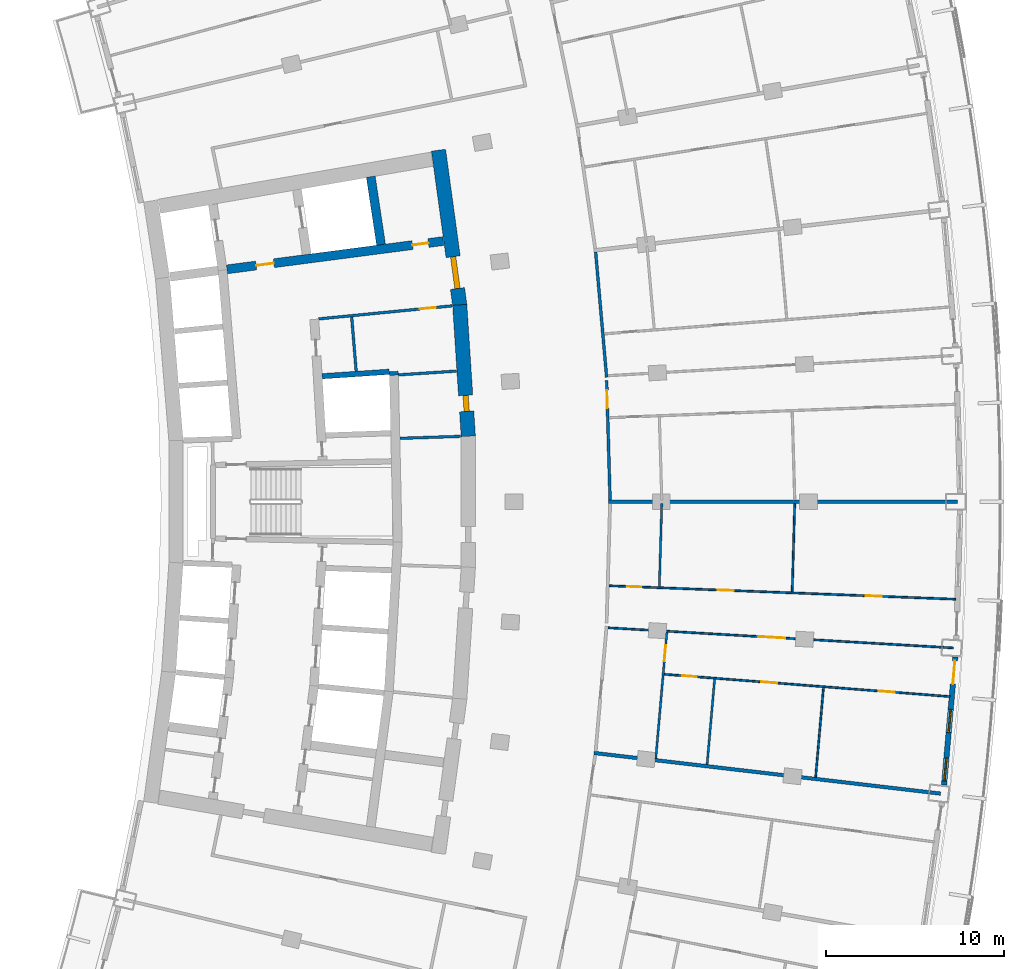
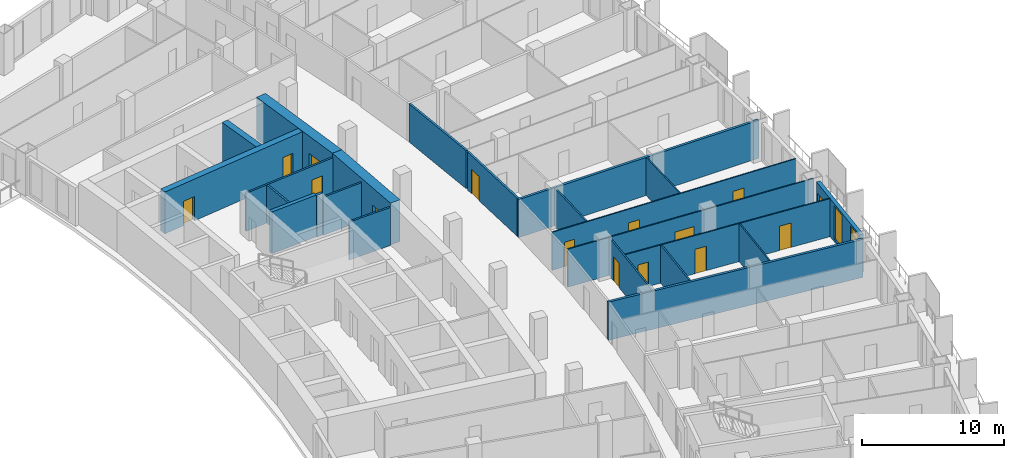
# One storey, part 17 of 25: 23 walls, 15 doors, 2 windows, 17 openings.
"""IFC4 building model written with IfcOpenShell, lengths in metres."""

from ifc_helpers import new_model, si_unit, direction, frame, frame_2d, origin, place, context, subcontext, project, spatial, rectangle, extrude, material, layer, layer_set, type_object, element, fill, save


model = new_model("IFC4")

# Units and contexts
model_context = context("Model", 3, precision=1e-05, world=origin(), true_north=direction((0.0, 1.0)))
body_context = subcontext(model_context, "Body", "Model", "MODEL_VIEW")
ifc_project = project(units=[si_unit("LENGTHUNIT", "METRE"), si_unit("AREAUNIT", "SQUARE_METRE"), si_unit("VOLUMEUNIT", "CUBIC_METRE"), si_unit("PLANEANGLEUNIT", "RADIAN"), si_unit("MASSUNIT", "GRAM", prefix="KILO")], contexts=[model_context])

# Site, building, storey
site_placement = place(None, origin())
site = spatial("IfcSite", under=ifc_project, at=site_placement, CompositionType="ELEMENT")
building_placement = place(site_placement, origin())
building = spatial("IfcBuilding", under=site, at=building_placement, Name="Alderwake Tower", CompositionType="ELEMENT")
storey_placement = place(building_placement, frame((0.0, 0.0, 118.39990234375)))
storey = spatial("IfcBuildingStorey", under=building, at=storey_placement, Name="L29", CompositionType="ELEMENT", Elevation=118.39990234375)

# Walls
ifc_material_1 = material(Name="Gypsum shaft wall system, rated")
ifc_layer_1 = layer(ifc_material_1, 0.14990234375)
ifc_layer_set_1 = layer_set([ifc_layer_1], Name="Core room partition 150")
wall_type_1 = type_object("IfcWallType", Name="Core room partition 150", PredefinedType="PARTITIONING", material=ifc_layer_set_1)
wall_1_placement = place(storey_placement, frame((26.94970703125, 68.3203125, 0.0), z_axis=(0.0, 0.0, 1.0), x_axis=(-0.082463525817, 0.996594083321, 0.0)))
element("IfcWall", 1, at=wall_1_placement, inside=storey, type_object=wall_type_1, Name="CW/L29/PA+107_+70", PredefinedType="PARTITIONING", context=body_context, shape_type="SweptSolid", body=[
    extrude(rectangle(XDim=3.055419921875, YDim=0.14990234375, at=frame_2d((1.52783203125, 0.0))), origin(), (0.0, 0.0, 1.0), 3.280029296875),
])
wall_2_placement = place(storey_placement, frame((29.3974609375, 64.55810546875, 0.0), z_axis=(0.0, 0.0, 1.0), x_axis=(0.999470631901, 0.032533920269, 0.0)))
element("IfcWall", 2, at=wall_2_placement, inside=storey, type_object=wall_type_1, Name="CW/L29/PR+34_+128", PredefinedType="PARTITIONING", context=body_context, shape_type="SweptSolid", body=[
    extrude(rectangle(XDim=3.414306640625, YDim=0.14990234375, at=frame_2d((1.70703125, 0.0))), origin(), (0.0, 0.0, 1.0), 3.280029296875),
])
wall_3_placement = place(storey_placement, frame((29.318603515625, 68.11865234375, 0.0), z_axis=(0.0, 0.0, 1.0), x_axis=(0.997885072108, 0.065002945035, 0.0)))
element("IfcWall", 3, at=wall_3_placement, inside=storey, type_object=wall_type_1, Name="CW/L29/PR+68_+128", PredefinedType="PARTITIONING", context=body_context, shape_type="SweptSolid", body=[
    extrude(rectangle(XDim=3.260009765625, YDim=0.14990234375, at=frame_2d((1.6298828125, 0.0))), origin(), (0.0, 0.0, 1.0), 3.280029296875),
])

# Wall, opening, door
wall_4_placement = place(storey_placement, frame((32.333251953125, 71.991943359375, 0.0), z_axis=(0.0, 0.0, 1.0), x_axis=(-0.995248348328, -0.097369015353, 0.0)))
wall_4 = element("IfcWall", 4, at=wall_4_placement, inside=storey, type_object=wall_type_1, Name="CW/L29/PR+102_+86", PredefinedType="PARTITIONING", context=body_context, shape_type="SweptSolid", body=[
    extrude(rectangle(XDim=7.51953125, YDim=0.14990234375, at=frame_2d((3.759765625, 0.0))), origin(), (0.0, 0.0, 1.0), 3.280029296875),
])
opening_1_placement = place(wall_4_placement, frame((0.919921875, 0.0, 0.0)))
opening_1 = element("IfcOpeningElement", 5, at=opening_1_placement, cuts=wall_4, Name="Opening C021", PredefinedType="OPENING", context=body_context, shape_type="SweptSolid", body=[
    extrude(rectangle(XDim=0.89990234375, YDim=2.10009765625, at=frame_2d((0.449951171875, 1.050048828125))), frame((0.0, 0.0849609375, 0.0), z_axis=(0.0, -1.0, 0.0), x_axis=(1.0, 0.0, 0.0)), (0.0, 0.0, 1.0), 0.169921875),
])
ifc_material_2 = material(Name="Painted steel leaf", Category="steel")
door_type_1 = type_object("IfcDoorType", Name="Core room door 900", OperationType="SINGLE_SWING_LEFT", PredefinedType="DOOR", material=ifc_material_2)
door_1_placement = place(opening_1_placement, origin())
door_1 = element("IfcDoor", 6, at=door_1_placement, inside=storey, type_object=door_type_1, Name="Room door", OperationType="SINGLE_SWING_RIGHT", OverallHeight=2.10009765625, OverallWidth=0.89990234375, PredefinedType="DOOR", context=body_context, shape_type="SweptSolid", body=[
    extrude(rectangle(XDim=0.89990234375, YDim=2.10009765625, at=frame_2d((0.449951171875, 1.050048828125))), frame((0.0, 0.02490234375, 0.0), z_axis=(0.0, -1.0, 0.0), x_axis=(1.0, 0.0, 0.0)), (0.0, 0.0, 1.0), 0.050048828125),
])
fill(opening_1, door_1)

ifc_material_3 = material(Name="Concrete C70/85", Category="concrete")
ifc_layer_2 = layer(ifc_material_3, 0.800048828125)
ifc_layer_set_2 = layer_set([ifc_layer_2], Name="Core wall outer 800 C70-85")
wall_type_2 = type_object("IfcWallType", Name="Core wall outer 800 C70-85", PredefinedType="SHEAR", material=ifc_layer_set_2)
wall_5_placement = place(storey_placement, frame((32.760498046875, 72.048583984375, 0.0), z_axis=(0.0, 0.0, 1.0), x_axis=(0.064976219143, -0.997886812693, 0.0)))
wall_5 = element("IfcWall", 7, at=wall_5_placement, inside=storey, type_object=wall_type_2, Name="Core wall CW.010", PredefinedType="SHEAR", context=body_context, shape_type="SweptSolid", body=[
    extrude(rectangle(XDim=7.39453125, YDim=0.800048828125, at=frame_2d((3.697265625, 0.0))), origin(), (0.0, 0.0, 1.0), 3.60009765625),
])
opening_2_placement = place(wall_5_placement, frame((5.08984375, 0.0, 0.0)))
opening_2 = element("IfcOpeningElement", 8, at=opening_2_placement, cuts=wall_5, Name="Opening C035", PredefinedType="OPENING", context=body_context, shape_type="SweptSolid", body=[
    extrude(rectangle(XDim=0.89990234375, YDim=2.10009765625, at=frame_2d((0.449951171875, 1.050048828125))), frame((0.0, 0.409912109375, 0.0), z_axis=(0.0, -1.0, 0.0), x_axis=(1.0, 0.0, 0.0)), (0.0, 0.0, 1.0), 0.820068359375),
])
door_2_placement = place(opening_2_placement, origin())
door_2 = element("IfcDoor", 9, at=door_2_placement, inside=storey, type_object=door_type_1, Name="Room door", OperationType="SINGLE_SWING_RIGHT", OverallHeight=2.10009765625, OverallWidth=0.89990234375, PredefinedType="DOOR", context=body_context, shape_type="SweptSolid", body=[
    extrude(rectangle(XDim=0.89990234375, YDim=2.10009765625, at=frame_2d((0.449951171875, 1.050048828125))), frame((0.0, 0.14990234375, 0.0), z_axis=(0.0, -1.0, 0.0), x_axis=(1.0, 0.0, 0.0)), (0.0, 0.0, 1.0), 0.300048828125),
])
fill(opening_2, door_2)

wall_6_placement = place(storey_placement, frame((31.569580078125, 80.7265625, 0.0), z_axis=(0.0, 0.0, 1.0), x_axis=(0.135838347444, -0.990731014637, 0.0)))
wall_6 = element("IfcWall", 10, at=wall_6_placement, inside=storey, type_object=wall_type_2, Name="Core wall CW.009", PredefinedType="SHEAR", context=body_context, shape_type="SweptSolid", body=[
    extrude(rectangle(XDim=8.788818359375, YDim=0.800048828125, at=frame_2d((4.39453125, 0.0))), origin(), (0.0, 0.0, 1.0), 3.60009765625),
])
opening_3_placement = place(wall_6_placement, frame((6.032958984375, 0.0, 0.0)))
opening_3 = element("IfcOpeningElement", 11, at=opening_3_placement, cuts=wall_6, Name="Opening C001", PredefinedType="OPENING", context=body_context, shape_type="SweptSolid", body=[
    extrude(rectangle(XDim=1.800048828125, YDim=2.10009765625, at=frame_2d((0.89990234375, 1.050048828125))), frame((0.0, 0.409912109375, 0.0), z_axis=(0.0, -1.0, 0.0), x_axis=(1.0, 0.0, 0.0)), (0.0, 0.0, 1.0), 0.820068359375),
])
ifc_material_4 = material(Name="Steel-framed fire door leaves", Category="steel")
door_type_2 = type_object("IfcDoorType", Name="Core double door 1800 fire-rated", OperationType="DOUBLE_DOOR_SINGLE_SWING", PredefinedType="DOOR", material=ifc_material_4)
door_3_placement = place(opening_3_placement, origin())
door_3 = element("IfcDoor", 12, at=door_3_placement, inside=storey, type_object=door_type_2, Name="Lobby double door", OperationType="DOUBLE_DOOR_SINGLE_SWING", OverallHeight=2.10009765625, OverallWidth=1.800048828125, PredefinedType="DOOR", context=body_context, shape_type="SweptSolid", body=[
    extrude(rectangle(XDim=1.800048828125, YDim=2.10009765625, at=frame_2d((0.89990234375, 1.050048828125))), frame((0.0, 0.14990234375, 0.0), z_axis=(0.0, -1.0, 0.0), x_axis=(1.0, 0.0, 0.0)), (0.0, 0.0, 1.0), 0.300048828125),
])
fill(opening_3, door_3)

# Walls
ifc_material_5 = material(Name="Concrete C70/85", Category="concrete")
ifc_layer_3 = layer(ifc_material_5, 0.300048828125)
ifc_layer_set_3 = layer_set([ifc_layer_3], Name="Core wall shaft 300 C70-85")
wall_type_3 = type_object("IfcWallType", Name="Core wall shaft 300 C70-85", PredefinedType="SHEAR", material=ifc_layer_set_3)
wall_7_placement = place(storey_placement, frame((25.042236328125, 68.0419921875, 0.0), z_axis=(0.0, 0.0, 1.0), x_axis=(0.997762475899, 0.066858370369, 0.0)))
element("IfcWall", 13, at=wall_7_placement, inside=storey, type_object=wall_type_3, Name="Core wall CW.063", PredefinedType="SHEAR", context=body_context, shape_type="SweptSolid", body=[
    extrude(rectangle(XDim=3.772216796875, YDim=0.300048828125, at=frame_2d((1.88623046875, 0.0))), origin(), (0.0, 0.0, 1.0), 3.60009765625),
])
ifc_material_6 = material(Name="Concrete C70/85", Category="concrete")
ifc_layer_4 = layer(ifc_material_6, 0.5)
ifc_layer_set_4 = layer_set([ifc_layer_4], Name="Core wall spine 500 C70-85")
wall_type_4 = type_object("IfcWallType", Name="Core wall spine 500 C70-85", PredefinedType="SHEAR", material=ifc_layer_set_4)
wall_8_placement = place(storey_placement, frame((29.0693359375, 68.096435546875, 0.0), z_axis=(0.0, 0.0, 1.0), x_axis=(-0.065840896216, 0.997830134034, 0.0)))
element("IfcWall", 14, at=wall_8_placement, inside=storey, type_object=wall_type_4, Name="Core wall CW.003", PredefinedType="SHEAR", context=body_context, shape_type="SweptSolid", body=[
    extrude(rectangle(XDim=0.215087890625, YDim=0.5, at=frame_2d((0.107421875, 0.0))), origin(), (0.0, 0.0, 1.0), 3.60009765625),
])
wall_9_placement = place(storey_placement, frame((28.34423828125, 75.4228515625, 0.0), z_axis=(0.0, 0.0, 1.0), x_axis=(-0.14943460482, 0.988771611082, 0.0)))
element("IfcWall", 15, at=wall_9_placement, inside=storey, type_object=wall_type_4, Name="Core wall CW.001", PredefinedType="SHEAR", context=body_context, shape_type="SweptSolid", body=[
    extrude(rectangle(XDim=3.8623046875, YDim=0.5, at=frame_2d((1.93115234375, 0.0))), origin(), (0.0, 0.0, 1.0), 3.60009765625),
])

# Wall, openings, doors
wall_10_placement = place(storey_placement, frame((31.834716796875, 75.627197265625, 0.0), z_axis=(0.0, 0.0, 1.0), x_axis=(-0.991555516999, -0.129682908318, 0.0)))
wall_10 = element("IfcWall", 16, at=wall_10_placement, inside=storey, type_object=wall_type_4, Name="Core wall CW.052", PredefinedType="SHEAR", context=body_context, shape_type="SweptSolid", body=[
    extrude(rectangle(XDim=12.23681640625, YDim=0.5, at=frame_2d((6.118408203125, 0.0))), origin(), (0.0, 0.0, 1.0), 3.60009765625),
])
opening_4_placement = place(wall_10_placement, frame((9.587158203125, 0.0, 0.0)))
opening_4 = element("IfcOpeningElement", 17, at=opening_4_placement, cuts=wall_10, Name="Opening C002", PredefinedType="OPENING", context=body_context, shape_type="SweptSolid", body=[
    extrude(rectangle(XDim=1.0, YDim=2.10009765625, at=frame_2d((0.5, 1.050048828125))), frame((0.0, 0.260009765625, 0.0), z_axis=(0.0, -1.0, 0.0), x_axis=(1.0, 0.0, 0.0)), (0.0, 0.0, 1.0), 0.52001953125),
])
opening_5_placement = place(wall_10_placement, frame((0.837158203125, 0.0, 0.0)))
opening_5 = element("IfcOpeningElement", 18, at=opening_5_placement, cuts=wall_10, Name="Opening C020", PredefinedType="OPENING", context=body_context, shape_type="SweptSolid", body=[
    extrude(rectangle(XDim=0.89990234375, YDim=2.10009765625, at=frame_2d((0.449951171875, 1.050048828125))), frame((0.0, 0.260009765625, 0.0), z_axis=(0.0, -1.0, 0.0), x_axis=(1.0, 0.0, 0.0)), (0.0, 0.0, 1.0), 0.52001953125),
])
door_4_placement = place(opening_5_placement, origin())
door_4 = element("IfcDoor", 19, at=door_4_placement, inside=storey, type_object=door_type_1, Name="Room door", OperationType="SINGLE_SWING_LEFT", OverallHeight=2.10009765625, OverallWidth=0.89990234375, PredefinedType="DOOR", context=body_context, shape_type="SweptSolid", body=[
    extrude(rectangle(XDim=0.89990234375, YDim=2.10009765625, at=frame_2d((0.449951171875, 1.050048828125))), frame((0.0, 0.02490234375, 0.0), z_axis=(0.0, -1.0, 0.0), x_axis=(1.0, 0.0, 0.0)), (0.0, 0.0, 1.0), 0.050048828125),
])
fill(opening_5, door_4)
ifc_material_7 = material(Name="Steel-framed fire door leaf", Category="steel")
door_type_3 = type_object("IfcDoorType", Name="Firefighting lobby door 1000 fire-rated", OperationType="SINGLE_SWING_LEFT", PredefinedType="DOOR", material=ifc_material_7)
door_5_placement = place(opening_4_placement, origin())
door_5 = element("IfcDoor", 20, at=door_5_placement, inside=storey, type_object=door_type_3, Name="Firefighting lobby door", OperationType="SINGLE_SWING_RIGHT", OverallHeight=2.10009765625, OverallWidth=1.0, PredefinedType="DOOR", context=body_context, shape_type="SweptSolid", body=[
    extrude(rectangle(XDim=1.0, YDim=2.10009765625, at=frame_2d((0.5, 1.050048828125))), frame((0.0, 0.02490234375, 0.0), z_axis=(0.0, -1.0, 0.0), x_axis=(1.0, 0.0, 0.0)), (0.0, 0.0, 1.0), 0.050048828125),
])
fill(opening_4, door_5)

# Wall
ifc_material_8 = material(Name="Gypsum board on metal studs, rated")
ifc_layer_5 = layer(ifc_material_8, 0.159912109375)
ifc_layer_set_5 = layer_set([ifc_layer_5], Name="Corridor wall 160")
wall_type_5 = type_object("IfcWallType", Name="Corridor wall 160", PredefinedType="PARTITIONING", material=ifc_layer_set_5)
wall_11_placement = place(storey_placement, frame((41.001953125, 67.9873046875, 0.0), z_axis=(0.0, 0.0, 1.0), x_axis=(-0.087430787456, 0.996170596537, 0.0)))
element("IfcWall", 21, at=wall_11_placement, inside=storey, type_object=wall_type_5, Name="WL/L29/W40", PredefinedType="PARTITIONING", context=body_context, shape_type="SweptSolid", body=[
    extrude(rectangle(XDim=7.048095703125, YDim=0.159912109375, at=frame_2d((3.52392578125, 0.0))), origin(), (0.0, 0.0, 1.0), 3.280029296875),
])

# Wall, opening, door
wall_12_placement = place(storey_placement, frame((41.002685546875, 67.80029296875, 0.0), z_axis=(0.0, 0.0, 1.0), x_axis=(0.0288425569, -0.999583966914, 0.0)))
wall_12 = element("IfcWall", 22, at=wall_12_placement, inside=storey, type_object=wall_type_5, Name="WL/L29/W41", PredefinedType="PARTITIONING", context=body_context, shape_type="SweptSolid", body=[
    extrude(rectangle(XDim=6.703857421875, YDim=0.159912109375, at=frame_2d((3.35205078125, 0.0))), origin(), (0.0, 0.0, 1.0), 3.280029296875),
])
opening_6_placement = place(wall_12_placement, frame((0.54541015625, 0.0, 0.0)))
opening_6 = element("IfcOpeningElement", 23, at=opening_6_placement, cuts=wall_12, Name="Opening R08-U08.2", PredefinedType="OPENING", context=body_context, shape_type="SweptSolid", body=[
    extrude(rectangle(XDim=1.0, YDim=2.10009765625, at=frame_2d((0.5, 1.050048828125))), frame((0.0, 0.08984375, 0.0), z_axis=(0.0, -1.0, 0.0), x_axis=(1.0, 0.0, 0.0)), (0.0, 0.0, 1.0), 0.179931640625),
])
ifc_material_9 = material(Name="Solid timber leaf in steel frame", Category="steel")
door_type_4 = type_object("IfcDoorType", Name="Flat entrance door 1000 fire-rated", OperationType="SINGLE_SWING_LEFT", PredefinedType="DOOR", material=ifc_material_9)
door_6_placement = place(opening_6_placement, origin())
door_6 = element("IfcDoor", 24, at=door_6_placement, inside=storey, type_object=door_type_4, Name="DR/L29/U08.2", OperationType="SINGLE_SWING_LEFT", OverallHeight=2.10009765625, OverallWidth=1.0, PredefinedType="DOOR", context=body_context, shape_type="SweptSolid", body=[
    extrude(rectangle(XDim=1.0, YDim=2.10009765625, at=frame_2d((0.5, 1.050048828125))), frame((0.0, 0.02490234375, 0.0), z_axis=(0.0, -1.0, 0.0), x_axis=(1.0, 0.0, 0.0)), (0.0, 0.0, 1.0), 0.050048828125),
])
fill(opening_6, door_6)

# Wall, openings, door, windows
ifc_material_10 = material(Name="Precast concrete C50/60 spandrel panel", Category="concrete")
ifc_layer_6 = layer(ifc_material_10, 0.300048828125)
ifc_layer_set_6 = layer_set([ifc_layer_6], Name="External wall EW1 Precast concrete C50/60 spandrel")
wall_type_6 = type_object("IfcWallType", Name="External wall EW1 Precast concrete C50/60 spandrel", PredefinedType="SOLIDWALL", material=ifc_layer_set_6)
wall_13_placement = place(storey_placement, frame((59.93603515625, 45.101806640625, 0.0), z_axis=(0.0, 0.0, 1.0), x_axis=(0.087409071473, 0.996172502243, 0.0)))
wall_13 = element("IfcWall", 25, at=wall_13_placement, inside=storey, type_object=wall_type_6, Name="External wall 15", PredefinedType="SOLIDWALL", context=body_context, shape_type="SweptSolid", body=[
    extrude(rectangle(XDim=7.21728515625, YDim=0.300048828125, at=frame_2d((3.608642578125, 0.0))), origin(), (0.0, 0.0, 1.0), 3.280029296875),
])
opening_7_placement = place(wall_13_placement, frame((0.22509765625, 0.0, 0.199951171875)))
opening_7 = element("IfcOpeningElement", 26, at=opening_7_placement, cuts=wall_13, Name="Opening W1", PredefinedType="OPENING", context=body_context, shape_type="SweptSolid", body=[
    extrude(rectangle(XDim=1.300048828125, YDim=2.89990234375, at=frame_2d((0.64990234375, 1.449951171875))), frame((0.0, 0.159912109375, 0.0), z_axis=(0.0, -1.0, 0.0), x_axis=(1.0, 0.0, 0.0)), (0.0, 0.0, 1.0), 0.320068359375),
])
opening_8_placement = place(wall_13_placement, frame((2.958740234375, 0.0, 0.199951171875)))
opening_8 = element("IfcOpeningElement", 27, at=opening_8_placement, cuts=wall_13, Name="Opening W1", PredefinedType="OPENING", context=body_context, shape_type="SweptSolid", body=[
    extrude(rectangle(XDim=1.300048828125, YDim=2.89990234375, at=frame_2d((0.64990234375, 1.449951171875))), frame((0.0, 0.159912109375, 0.0), z_axis=(0.0, -1.0, 0.0), x_axis=(1.0, 0.0, 0.0)), (0.0, 0.0, 1.0), 0.320068359375),
])
opening_9_placement = place(wall_13_placement, frame((5.692138671875, 0.0, 0.0)))
opening_9 = element("IfcOpeningElement", 28, at=opening_9_placement, cuts=wall_13, Name="Opening D06", PredefinedType="OPENING", context=body_context, shape_type="SweptSolid", body=[
    extrude(rectangle(XDim=1.300048828125, YDim=2.39990234375, at=frame_2d((0.64990234375, 1.199951171875))), frame((0.0, 0.159912109375, 0.0), z_axis=(0.0, -1.0, 0.0), x_axis=(1.0, 0.0, 0.0)), (0.0, 0.0, 1.0), 0.320068359375),
])
ifc_material_11 = material(Name="Bronze tinted glass in aluminium frame", Category="aluminium")
door_type_5 = type_object("IfcDoorType", Name="Balcony door BD sliding", OperationType="SLIDING_TO_LEFT", PredefinedType="DOOR", material=ifc_material_11)
door_7_placement = place(opening_9_placement, origin())
door_7 = element("IfcDoor", 29, at=door_7_placement, inside=storey, type_object=door_type_5, Name="Door D06", OperationType="SLIDING_TO_LEFT", OverallHeight=2.39990234375, OverallWidth=1.300048828125, PredefinedType="DOOR", context=body_context, shape_type="SweptSolid", body=[
    extrude(rectangle(XDim=1.300048828125, YDim=2.39990234375, at=frame_2d((0.64990234375, 1.199951171875))), frame((0.0, 0.02490234375, 0.0), z_axis=(0.0, -1.0, 0.0), x_axis=(1.0, 0.0, 0.0)), (0.0, 0.0, 1.0), 0.050048828125),
])
fill(opening_9, door_7)
ifc_material_12 = material(Name="Bronze tinted glass in aluminium frame", Category="aluminium")
window_type = type_object("IfcWindowType", Name="Window W1 tall fixed and vent", PartitioningType="DOUBLE_PANEL_VERTICAL", PredefinedType="WINDOW", material=ifc_material_12)
window_1_placement = place(opening_7_placement, origin())
window_1 = element("IfcWindow", 30, at=window_1_placement, inside=storey, type_object=window_type, Name="Window W1 tall fixed and vent", OverallHeight=2.89990234375, OverallWidth=1.300048828125, PartitioningType="DOUBLE_PANEL_VERTICAL", PredefinedType="WINDOW", context=body_context, shape_type="SweptSolid", body=[
    extrude(rectangle(XDim=1.300048828125, YDim=2.89990234375, at=frame_2d((0.64990234375, 1.449951171875))), frame((0.0, 0.030029296875, 0.0), z_axis=(0.0, -1.0, 0.0), x_axis=(1.0, 0.0, 0.0)), (0.0, 0.0, 1.0), 0.06005859375),
])
fill(opening_7, window_1)
window_2_placement = place(opening_8_placement, origin())
window_2 = element("IfcWindow", 31, at=window_2_placement, inside=storey, type_object=window_type, Name="Window W1 tall fixed and vent", OverallHeight=2.89990234375, OverallWidth=1.300048828125, PartitioningType="DOUBLE_PANEL_VERTICAL", PredefinedType="WINDOW", context=body_context, shape_type="SweptSolid", body=[
    extrude(rectangle(XDim=1.300048828125, YDim=2.89990234375, at=frame_2d((0.64990234375, 1.449951171875))), frame((0.0, 0.030029296875, 0.0), z_axis=(0.0, -1.0, 0.0), x_axis=(1.0, 0.0, 0.0)), (0.0, 0.0, 1.0), 0.06005859375),
])
fill(opening_8, window_2)

# Walls
ifc_material_13 = material(Name="Dense block masonry wall", Category="masonry")
ifc_layer_7 = layer(ifc_material_13, 0.199951171875)
ifc_layer_set_7 = layer_set([ifc_layer_7], Name="Party wall 200")
wall_type_7 = type_object("IfcWallType", Name="Party wall 200", PredefinedType="SOLIDWALL", material=ifc_layer_set_7)
wall_14_placement = place(storey_placement, frame((59.7451171875, 44.6220703125, 0.0), z_axis=(0.0, 0.0, 1.0), x_axis=(-0.993195977177, 0.116454930851, 0.0)))
element("IfcWall", 32, at=wall_14_placement, inside=storey, type_object=wall_type_7, Name="WL/L29/W11", PredefinedType="SOLIDWALL", context=body_context, shape_type="SweptSolid", body=[
    extrude(rectangle(XDim=19.580810546875, YDim=0.199951171875, at=frame_2d((9.79052734375, 0.0))), origin(), (0.0, 0.0, 1.0), 3.280029296875),
])
wall_15_placement = place(storey_placement, frame((60.698974609375, 60.9990234375, 0.0), z_axis=(0.0, 0.0, 1.0), x_axis=(-1.0, 0.0, 0.0)))
element("IfcWall", 33, at=wall_15_placement, inside=storey, type_object=wall_type_7, Name="WL/L29/W13", PredefinedType="SOLIDWALL", context=body_context, shape_type="SweptSolid", body=[
    extrude(rectangle(XDim=19.580078125, YDim=0.199951171875, at=frame_2d((9.7900390625, 0.0))), origin(), (0.0, 0.0, 1.0), 3.280029296875),
])

# Wall, opening, door
ifc_material_14 = material(Name="Gypsum board on metal studs")
ifc_layer_8 = layer(ifc_material_14, 0.10009765625)
ifc_layer_set_8 = layer_set([ifc_layer_8], Name="Unit partition 100")
wall_type_8 = type_object("IfcWallType", Name="Unit partition 100", PredefinedType="PARTITIONING", material=ifc_layer_set_8)
wall_16_placement = place(storey_placement, frame((41.074951171875, 53.92919921875, 0.0), z_axis=(0.0, 0.0, 1.0), x_axis=(0.998299424898, -0.058294581637, 0.0)))
wall_16 = element("IfcWall", 34, at=wall_16_placement, inside=storey, type_object=wall_type_8, Name="WL/L29/W71", PredefinedType="PARTITIONING", context=body_context, shape_type="SweptSolid", body=[
    extrude(rectangle(XDim=19.419921875, YDim=0.10009765625, at=frame_2d((9.7099609375, 0.0))), origin(), (0.0, 0.0, 1.0), 3.280029296875),
])
opening_10_placement = place(wall_16_placement, frame((8.464599609375, 0.0, 0.0)))
opening_10 = element("IfcOpeningElement", 35, at=opening_10_placement, cuts=wall_16, Name="Opening R08-U07.9", PredefinedType="OPENING", context=body_context, shape_type="SweptSolid", body=[
    extrude(rectangle(XDim=1.5, YDim=2.10009765625, at=frame_2d((0.75, 1.050048828125))), frame((0.0, 0.06005859375, 0.0), z_axis=(0.0, -1.0, 0.0), x_axis=(1.0, 0.0, 0.0)), (0.0, 0.0, 1.0), 0.1201171875),
])
ifc_material_15 = material(Name="Painted timber leaves", Category="wood")
door_type_6 = type_object("IfcDoorType", Name="Double leaf door 1500", OperationType="DOUBLE_DOOR_SINGLE_SWING", PredefinedType="DOOR", material=ifc_material_15)
door_8_placement = place(opening_10_placement, origin())
door_8 = element("IfcDoor", 36, at=door_8_placement, inside=storey, type_object=door_type_6, Name="DR/L29/U07.9", OperationType="DOUBLE_DOOR_SINGLE_SWING", OverallHeight=2.10009765625, OverallWidth=1.5, PredefinedType="DOOR", context=body_context, shape_type="SweptSolid", body=[
    extrude(rectangle(XDim=1.5, YDim=2.10009765625, at=frame_2d((0.75, 1.050048828125))), frame((0.0, 0.02490234375, 0.0), z_axis=(0.0, -1.0, 0.0), x_axis=(1.0, 0.0, 0.0)), (0.0, 0.0, 1.0), 0.050048828125),
])
fill(opening_10, door_8)

# Wall, openings, doors
wall_17_placement = place(storey_placement, frame((41.143798828125, 56.285888671875, 0.0), z_axis=(0.0, 0.0, 1.0), x_axis=(0.999245527857, -0.038837804487, 0.0)))
wall_17 = element("IfcWall", 37, at=wall_17_placement, inside=storey, type_object=wall_type_8, Name="WL/L29/W72", PredefinedType="PARTITIONING", context=body_context, shape_type="SweptSolid", body=[
    extrude(rectangle(XDim=19.4619140625, YDim=0.10009765625, at=frame_2d((9.73095703125, 0.0))), origin(), (0.0, 0.0, 1.0), 3.280029296875),
])
opening_11_placement = place(wall_17_placement, frame((6.096923828125, 0.0, 0.0)))
opening_11 = element("IfcOpeningElement", 38, at=opening_11_placement, cuts=wall_17, Name="Opening R08-U07.6", PredefinedType="OPENING", context=body_context, shape_type="SweptSolid", body=[
    extrude(rectangle(XDim=0.89990234375, YDim=2.10009765625, at=frame_2d((0.449951171875, 1.050048828125))), frame((0.0, 0.06005859375, 0.0), z_axis=(0.0, -1.0, 0.0), x_axis=(1.0, 0.0, 0.0)), (0.0, 0.0, 1.0), 0.1201171875),
])
opening_12_placement = place(wall_17_placement, frame((1.0087890625, 0.0, 0.0)))
opening_12 = element("IfcOpeningElement", 39, at=opening_12_placement, cuts=wall_17, Name="Opening R08-U07.7", PredefinedType="OPENING", context=body_context, shape_type="SweptSolid", body=[
    extrude(rectangle(XDim=0.800048828125, YDim=2.10009765625, at=frame_2d((0.39990234375, 1.050048828125))), frame((0.0, 0.06005859375, 0.0), z_axis=(0.0, -1.0, 0.0), x_axis=(1.0, 0.0, 0.0)), (0.0, 0.0, 1.0), 0.1201171875),
])
opening_13_placement = place(wall_17_placement, frame((14.418701171875, 0.0, 0.0)))
opening_13 = element("IfcOpeningElement", 40, at=opening_13_placement, cuts=wall_17, Name="Opening R08-U07.8", PredefinedType="OPENING", context=body_context, shape_type="SweptSolid", body=[
    extrude(rectangle(XDim=0.89990234375, YDim=2.10009765625, at=frame_2d((0.449951171875, 1.050048828125))), frame((0.0, 0.06005859375, 0.0), z_axis=(0.0, -1.0, 0.0), x_axis=(1.0, 0.0, 0.0)), (0.0, 0.0, 1.0), 0.1201171875),
])
ifc_material_16 = material(Name="Painted timber leaf", Category="wood")
door_type_7 = type_object("IfcDoorType", Name="Bathroom door 800", OperationType="SINGLE_SWING_LEFT", PredefinedType="DOOR", material=ifc_material_16)
door_9_placement = place(opening_12_placement, origin())
door_9 = element("IfcDoor", 41, at=door_9_placement, inside=storey, type_object=door_type_7, Name="DR/L29/U07.7", OperationType="SINGLE_SWING_LEFT", OverallHeight=2.10009765625, OverallWidth=0.800048828125, PredefinedType="DOOR", context=body_context, shape_type="SweptSolid", body=[
    extrude(rectangle(XDim=0.800048828125, YDim=2.10009765625, at=frame_2d((0.39990234375, 1.050048828125))), frame((0.0, 0.02490234375, 0.0), z_axis=(0.0, -1.0, 0.0), x_axis=(1.0, 0.0, 0.0)), (0.0, 0.0, 1.0), 0.050048828125),
])
fill(opening_12, door_9)
ifc_material_17 = material(Name="Painted timber leaf", Category="wood")
door_type_8 = type_object("IfcDoorType", Name="Room door 900", OperationType="SINGLE_SWING_LEFT", PredefinedType="DOOR", material=ifc_material_17)
door_10_placement = place(opening_11_placement, origin())
door_10 = element("IfcDoor", 42, at=door_10_placement, inside=storey, type_object=door_type_8, Name="DR/L29/U07.6", OperationType="SINGLE_SWING_LEFT", OverallHeight=2.10009765625, OverallWidth=0.89990234375, PredefinedType="DOOR", context=body_context, shape_type="SweptSolid", body=[
    extrude(rectangle(XDim=0.89990234375, YDim=2.10009765625, at=frame_2d((0.449951171875, 1.050048828125))), frame((0.0, 0.02490234375, 0.0), z_axis=(0.0, -1.0, 0.0), x_axis=(1.0, 0.0, 0.0)), (0.0, 0.0, 1.0), 0.050048828125),
])
fill(opening_11, door_10)
door_11_placement = place(opening_13_placement, origin())
door_11 = element("IfcDoor", 43, at=door_11_placement, inside=storey, type_object=door_type_8, Name="DR/L29/U07.8", OperationType="SINGLE_SWING_LEFT", OverallHeight=2.10009765625, OverallWidth=0.89990234375, PredefinedType="DOOR", context=body_context, shape_type="SweptSolid", body=[
    extrude(rectangle(XDim=0.89990234375, YDim=2.10009765625, at=frame_2d((0.449951171875, 1.050048828125))), frame((0.0, 0.02490234375, 0.0), z_axis=(0.0, -1.0, 0.0), x_axis=(1.0, 0.0, 0.0)), (0.0, 0.0, 1.0), 0.050048828125),
])
fill(opening_13, door_11)

wall_18_placement = place(storey_placement, frame((60.27001953125, 50.06689453125, 0.0), z_axis=(0.0, 0.0, 1.0), x_axis=(-0.996963614513, 0.077868808503, 0.0)))
wall_18 = element("IfcWall", 44, at=wall_18_placement, inside=storey, type_object=wall_type_8, Name="WL/L29/W75", PredefinedType="PARTITIONING", context=body_context, shape_type="SweptSolid", body=[
    extrude(rectangle(XDim=16.083984375, YDim=0.10009765625, at=frame_2d((8.0419921875, 0.0))), origin(), (0.0, 0.0, 1.0), 3.280029296875),
])
opening_14_placement = place(wall_18_placement, frame((9.7294921875, 0.0, 0.0)))
opening_14 = element("IfcOpeningElement", 45, at=opening_14_placement, cuts=wall_18, Name="Opening R08-U07.1", PredefinedType="OPENING", context=body_context, shape_type="SweptSolid", body=[
    extrude(rectangle(XDim=0.89990234375, YDim=2.10009765625, at=frame_2d((0.449951171875, 1.050048828125))), frame((0.0, 0.06005859375, 0.0), z_axis=(0.0, -1.0, 0.0), x_axis=(1.0, 0.0, 0.0)), (0.0, 0.0, 1.0), 0.1201171875),
])
opening_15_placement = place(wall_18_placement, frame((14.263916015625, 0.0, 0.0)))
opening_15 = element("IfcOpeningElement", 46, at=opening_15_placement, cuts=wall_18, Name="Opening R08-U07.4", PredefinedType="OPENING", context=body_context, shape_type="SweptSolid", body=[
    extrude(rectangle(XDim=0.800048828125, YDim=2.10009765625, at=frame_2d((0.39990234375, 1.050048828125))), frame((0.0, 0.06005859375, 0.0), z_axis=(0.0, -1.0, 0.0), x_axis=(1.0, 0.0, 0.0)), (0.0, 0.0, 1.0), 0.1201171875),
])
opening_16_placement = place(wall_18_placement, frame((3.107666015625, 0.0, 0.0)))
opening_16 = element("IfcOpeningElement", 47, at=opening_16_placement, cuts=wall_18, Name="Opening R08-U07.5", PredefinedType="OPENING", context=body_context, shape_type="SweptSolid", body=[
    extrude(rectangle(XDim=0.89990234375, YDim=2.10009765625, at=frame_2d((0.449951171875, 1.050048828125))), frame((0.0, 0.06005859375, 0.0), z_axis=(0.0, -1.0, 0.0), x_axis=(1.0, 0.0, 0.0)), (0.0, 0.0, 1.0), 0.1201171875),
])
door_12_placement = place(opening_15_placement, origin())
door_12 = element("IfcDoor", 48, at=door_12_placement, inside=storey, type_object=door_type_7, Name="DR/L29/U07.4", OperationType="SINGLE_SWING_LEFT", OverallHeight=2.10009765625, OverallWidth=0.800048828125, PredefinedType="DOOR", context=body_context, shape_type="SweptSolid", body=[
    extrude(rectangle(XDim=0.800048828125, YDim=2.10009765625, at=frame_2d((0.39990234375, 1.050048828125))), frame((0.0, 0.02490234375, 0.0), z_axis=(0.0, -1.0, 0.0), x_axis=(1.0, 0.0, 0.0)), (0.0, 0.0, 1.0), 0.050048828125),
])
fill(opening_15, door_12)
door_13_placement = place(opening_14_placement, origin())
door_13 = element("IfcDoor", 49, at=door_13_placement, inside=storey, type_object=door_type_8, Name="DR/L29/U07.1", OperationType="SINGLE_SWING_LEFT", OverallHeight=2.10009765625, OverallWidth=0.89990234375, PredefinedType="DOOR", context=body_context, shape_type="SweptSolid", body=[
    extrude(rectangle(XDim=0.89990234375, YDim=2.10009765625, at=frame_2d((0.449951171875, 1.050048828125))), frame((0.0, 0.02490234375, 0.0), z_axis=(0.0, -1.0, 0.0), x_axis=(1.0, 0.0, 0.0)), (0.0, 0.0, 1.0), 0.050048828125),
])
fill(opening_14, door_13)
door_14_placement = place(opening_16_placement, origin())
door_14 = element("IfcDoor", 50, at=door_14_placement, inside=storey, type_object=door_type_8, Name="DR/L29/U07.5", OperationType="SINGLE_SWING_LEFT", OverallHeight=2.10009765625, OverallWidth=0.89990234375, PredefinedType="DOOR", context=body_context, shape_type="SweptSolid", body=[
    extrude(rectangle(XDim=0.89990234375, YDim=2.10009765625, at=frame_2d((0.449951171875, 1.050048828125))), frame((0.0, 0.02490234375, 0.0), z_axis=(0.0, -1.0, 0.0), x_axis=(1.0, 0.0, 0.0)), (0.0, 0.0, 1.0), 0.050048828125),
])
fill(opening_16, door_14)

# Walls
wall_19_placement = place(storey_placement, frame((51.415283203125, 55.93701171875, 0.0), z_axis=(0.0, 0.0, 1.0), x_axis=(0.028771787727, 0.99958600642, 0.0)))
element("IfcWall", 51, at=wall_19_placement, inside=storey, type_object=wall_type_8, Name="WL/L29/W84", PredefinedType="PARTITIONING", context=body_context, shape_type="SweptSolid", body=[
    extrude(rectangle(XDim=4.9638671875, YDim=0.10009765625, at=frame_2d((2.48193359375, 0.0))), origin(), (0.0, 0.0, 1.0), 3.280029296875),
])
wall_20_placement = place(storey_placement, frame((52.730712890625, 45.543701171875, 0.0), z_axis=(0.0, 0.0, 1.0), x_axis=(0.087155550626, 0.9961947149, 0.0)))
element("IfcWall", 52, at=wall_20_placement, inside=storey, type_object=wall_type_8, Name="WL/L29/W87", PredefinedType="PARTITIONING", context=body_context, shape_type="SweptSolid", body=[
    extrude(rectangle(XDim=5.0478515625, YDim=0.10009765625, at=frame_2d((2.52392578125, 0.0))), origin(), (0.0, 0.0, 1.0), 3.280029296875),
])

# Wall, opening, door
ifc_material_18 = material(Name="Moisture resistant gypsum board on metal studs")
ifc_layer_9 = layer(ifc_material_18, 0.1201171875)
ifc_layer_set_9 = layer_set([ifc_layer_9], Name="Wet room partition 120")
wall_type_9 = type_object("IfcWallType", Name="Wet room partition 120", PredefinedType="PARTITIONING", material=ifc_layer_set_9)
wall_21_placement = place(storey_placement, frame((44.383544921875, 53.686279296875, 0.0), z_axis=(0.0, 0.0, 1.0), x_axis=(-0.087510360813, -0.996163609429, 0.0)))
wall_21 = element("IfcWall", 53, at=wall_21_placement, inside=storey, type_object=wall_type_9, Name="WL/L29/W59", PredefinedType="PARTITIONING", context=body_context, shape_type="SweptSolid", body=[
    extrude(rectangle(XDim=7.116943359375, YDim=0.1201171875, at=frame_2d((3.55859375, 0.0))), origin(), (0.0, 0.0, 1.0), 3.280029296875),
])
opening_17_placement = place(wall_21_placement, frame((0.736328125, 0.0, 0.0)))
opening_17 = element("IfcOpeningElement", 54, at=opening_17_placement, cuts=wall_21, Name="Opening R08-U07.3", PredefinedType="OPENING", context=body_context, shape_type="SweptSolid", body=[
    extrude(rectangle(XDim=0.89990234375, YDim=2.10009765625, at=frame_2d((0.449951171875, 1.050048828125))), frame((0.0, 0.070068359375, 0.0), z_axis=(0.0, -1.0, 0.0), x_axis=(1.0, 0.0, 0.0)), (0.0, 0.0, 1.0), 0.14013671875),
])
door_15_placement = place(opening_17_placement, origin())
door_15 = element("IfcDoor", 55, at=door_15_placement, inside=storey, type_object=door_type_8, Name="DR/L29/U07.3", OperationType="SINGLE_SWING_LEFT", OverallHeight=2.10009765625, OverallWidth=0.89990234375, PredefinedType="DOOR", context=body_context, shape_type="SweptSolid", body=[
    extrude(rectangle(XDim=0.89990234375, YDim=2.10009765625, at=frame_2d((0.449951171875, 1.050048828125))), frame((0.0, 0.02490234375, 0.0), z_axis=(0.0, -1.0, 0.0), x_axis=(1.0, 0.0, 0.0)), (0.0, 0.0, 1.0), 0.050048828125),
])
fill(opening_17, door_15)

# Walls
wall_22_placement = place(storey_placement, frame((43.96044921875, 56.22802734375, 0.0), z_axis=(0.0, 0.0, 1.0), x_axis=(0.029257801765, 0.999571898883, 0.0)))
element("IfcWall", 56, at=wall_22_placement, inside=storey, type_object=wall_type_9, Name="WL/L29/W60", PredefinedType="PARTITIONING", context=body_context, shape_type="SweptSolid", body=[
    extrude(rectangle(XDim=4.6728515625, YDim=0.1201171875, at=frame_2d((2.33642578125, 0.0))), origin(), (0.0, 0.0, 1.0), 3.280029296875),
])
wall_23_placement = place(storey_placement, frame((46.640869140625, 46.2578125, 0.0), z_axis=(0.0, 0.0, 1.0), x_axis=(0.087714452347, 0.996145659454, 0.0)))
element("IfcWall", 57, at=wall_23_placement, inside=storey, type_object=wall_type_9, Name="WL/L29/W65", PredefinedType="PARTITIONING", context=body_context, shape_type="SweptSolid", body=[
    extrude(rectangle(XDim=4.806884765625, YDim=0.1201171875, at=frame_2d((2.4033203125, 0.0))), origin(), (0.0, 0.0, 1.0), 3.280029296875),
])

save(model, "model.ifc")
